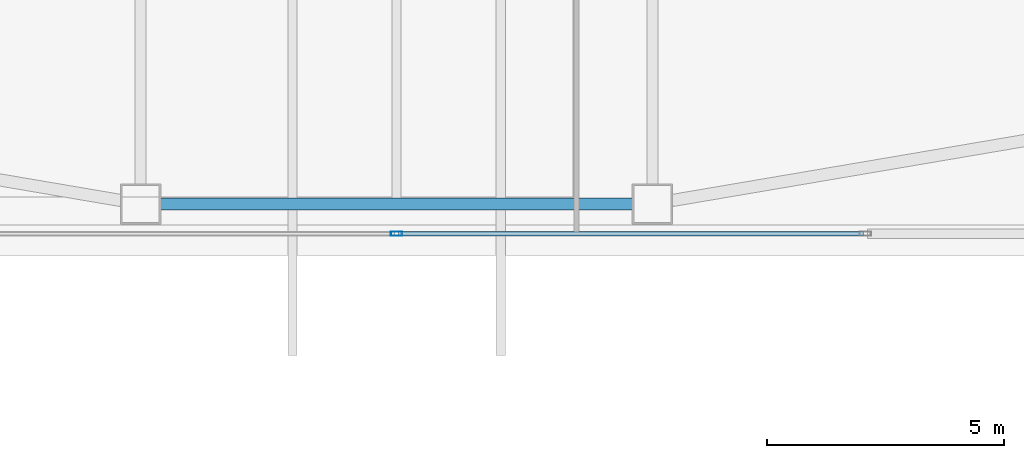
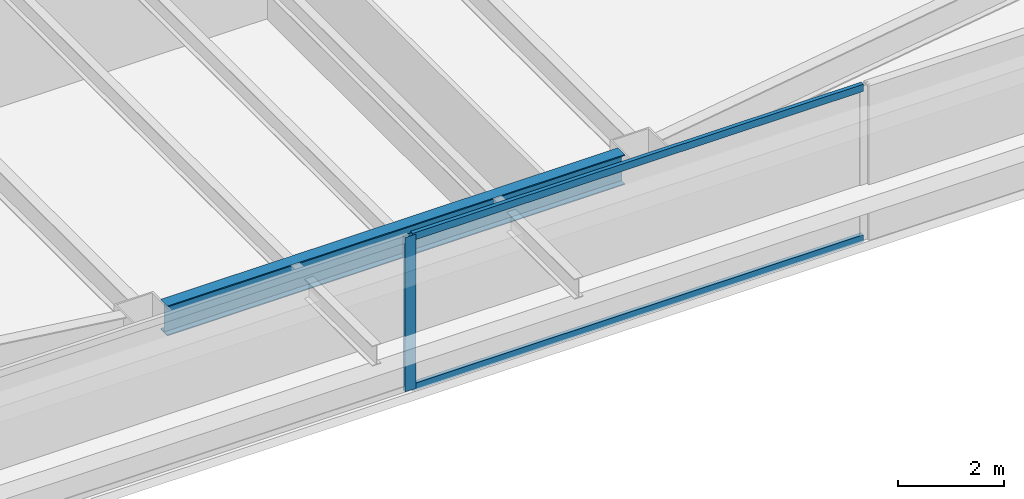
# One storey, part 5 of 48: 3 members, 1 beam, 1 element without a shape of its own.
"""IFC4 building model written with IfcOpenShell, lengths in metres."""

from ifc_helpers import new_model, si_unit, direction, frame, origin, origin_2d, place, context, subcontext, project, spatial, hollow_rectangle, i_section, extrude, material, material_profile, profile_set, type_object, element, aggregate, save


model = new_model("IFC4")

# Units and contexts
model_context = context("Model", 3, precision=1e-05, world=origin(), true_north=direction((0.0, 1.0)))
body_context = subcontext(model_context, "Body", "Model", "MODEL_VIEW")
ifc_project = project(units=[si_unit("LENGTHUNIT", "METRE"), si_unit("AREAUNIT", "SQUARE_METRE"), si_unit("VOLUMEUNIT", "CUBIC_METRE"), si_unit("PLANEANGLEUNIT", "RADIAN"), si_unit("MASSUNIT", "GRAM", prefix="KILO")], contexts=[model_context])

# Site, building, storey
site_placement = place(None, origin())
site = spatial("IfcSite", under=ifc_project, at=site_placement, CompositionType="ELEMENT")
building_placement = place(site_placement, origin())
building = spatial("IfcBuilding", under=site, at=building_placement, Name="Tashvorn Skyway Center", CompositionType="ELEMENT")
storey_placement = place(building_placement, frame((0.0, 0.0, 53.0)))
storey = spatial("IfcBuildingStorey", under=building, at=storey_placement, Name="L13", CompositionType="ELEMENT", Elevation=53.0)

# Beam
ifc_material_1 = material(Name="Steel ASTM A992 Grade 50", Category="steel")
ifc_material_profile_1 = material_profile(ifc_material_1, i_section(OverallWidth=0.256103515625, OverallDepth=0.693115234375, WebThickness=0.014404296875, FlangeThickness=0.023681640625, at=origin_2d()), Name="W27X114")
ifc_profile_set_1 = profile_set([ifc_material_profile_1], Name="Steel ASTM A992 Grade 50")
beam_type = type_object("IfcBeamType", Name="BM-SPANDREL-W27X114", PredefinedType="SPANDREL", material=ifc_profile_set_1)
beam_placement = place(storey_placement, frame((37.02001953125, 9.75, 3.00341796875), z_axis=(1.0, 0.0, 0.0), x_axis=(0.0, 1.0, 0.0)))
element("IfcBeam", 1, at=beam_placement, inside=storey, type_object=beam_type, Name="Tower 1 L13 Spandrel Beam 02", PredefinedType="SPANDREL", context=body_context, shape_type="SweptSolid", body=[
    extrude(i_section(OverallWidth=0.256103515625, OverallDepth=0.693115234375, WebThickness=0.014404296875, FlangeThickness=0.023681640625, at=origin_2d()), origin(), (0.0, 0.0, 1.0), 9.9599609375),
])

# Curtain wall, members
ifc_material_2 = material(Name="Thermally broken bronze-anodized aluminium 6063-T6", Category="aluminium")
curtain_wall_type = type_object("IfcCurtainWallType", Name="CW-CW-Z1", PredefinedType="NOTDEFINED", material=ifc_material_2)
curtain_wall_placement = place(storey_placement, origin())
curtain_wall = element("IfcCurtainWall", 2, at=curtain_wall_placement, inside=storey, type_object=curtain_wall_type, Name="Tower 1 L13 South Unitised Curtain Wall Glazing Group 2", PredefinedType="NOTDEFINED")
ifc_material_profile_2 = material_profile(ifc_material_2, hollow_rectangle(XDim=0.0849609375, YDim=0.239990234375, WallThickness=0.0048828125, at=origin_2d()), Name="ALU-MULL-85x240")
ifc_profile_set_2 = profile_set([ifc_material_profile_2], Name="Thermally broken bronze-anodized aluminium 6063-T6")
member_type_1 = type_object("IfcMemberType", Name="CWM-CW-Z1", PredefinedType="MULLION", material=ifc_profile_set_2)
member_1_placement = place(storey_placement, frame((42.0, 9.1201171875, 0.0), z_axis=(0.0, 0.0, 1.0), x_axis=(0.0, -1.0, 0.0)))
member_1 = element("IfcMember", 3, at=member_1_placement, type_object=member_type_1, Name="CW-Z1 mullion 2", PredefinedType="MULLION", context=body_context, shape_type="SweptSolid", body=[
    extrude(hollow_rectangle(XDim=0.0849609375, YDim=0.239990234375, WallThickness=0.0048828125, at=origin_2d()), origin(), (0.0, 0.0, 1.0), 3.550048828125),
])
ifc_material_profile_3 = material_profile(ifc_material_2, hollow_rectangle(XDim=0.0849609375, YDim=0.1650390625, WallThickness=0.0048828125, at=origin_2d()), Name="ALU-TRAN-85x165")
ifc_profile_set_3 = profile_set([ifc_material_profile_3], Name="Thermally broken bronze-anodized aluminium 6063-T6")
member_type_2 = type_object("IfcMemberType", Name="CWT-CW-Z1", PredefinedType="USERDEFINED", material=ifc_profile_set_3)
member_2_placement = place(storey_placement, frame((51.85498046875, 9.1201171875, 0.04248046875), z_axis=(-1.0, 0.0, 0.0), x_axis=(0.0, -1.0, 0.0)))
member_2 = element("IfcMember", 4, at=member_2_placement, type_object=member_type_2, Name="CW-Z1 transom 1.1", ObjectType="TRANSOM", PredefinedType="USERDEFINED", context=body_context, shape_type="SweptSolid", body=[
    extrude(hollow_rectangle(XDim=0.0849609375, YDim=0.1650390625, WallThickness=0.0048828125, at=origin_2d()), origin(), (0.0, 0.0, 1.0), 9.8125),
])
member_3_placement = place(storey_placement, frame((51.85498046875, 9.1201171875, 3.507568359375), z_axis=(-1.0, 0.0, 0.0), x_axis=(0.0, -1.0, 0.0)))
member_3 = element("IfcMember", 5, at=member_3_placement, type_object=member_type_2, Name="CW-Z1 transom 1.2", ObjectType="TRANSOM", PredefinedType="USERDEFINED", context=body_context, shape_type="SweptSolid", body=[
    extrude(hollow_rectangle(XDim=0.0849609375, YDim=0.1650390625, WallThickness=0.0048828125, at=origin_2d()), origin(), (0.0, 0.0, 1.0), 9.8125),
])
aggregate(curtain_wall, [member_1, member_2, member_3])

save(model, "model.ifc")
